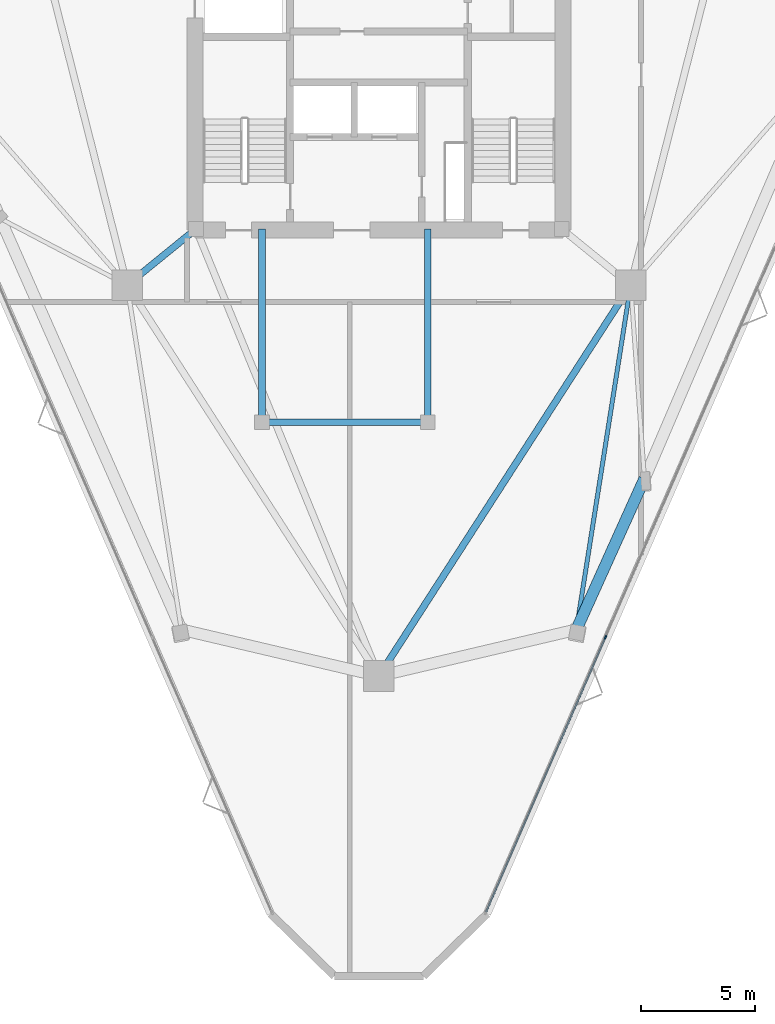
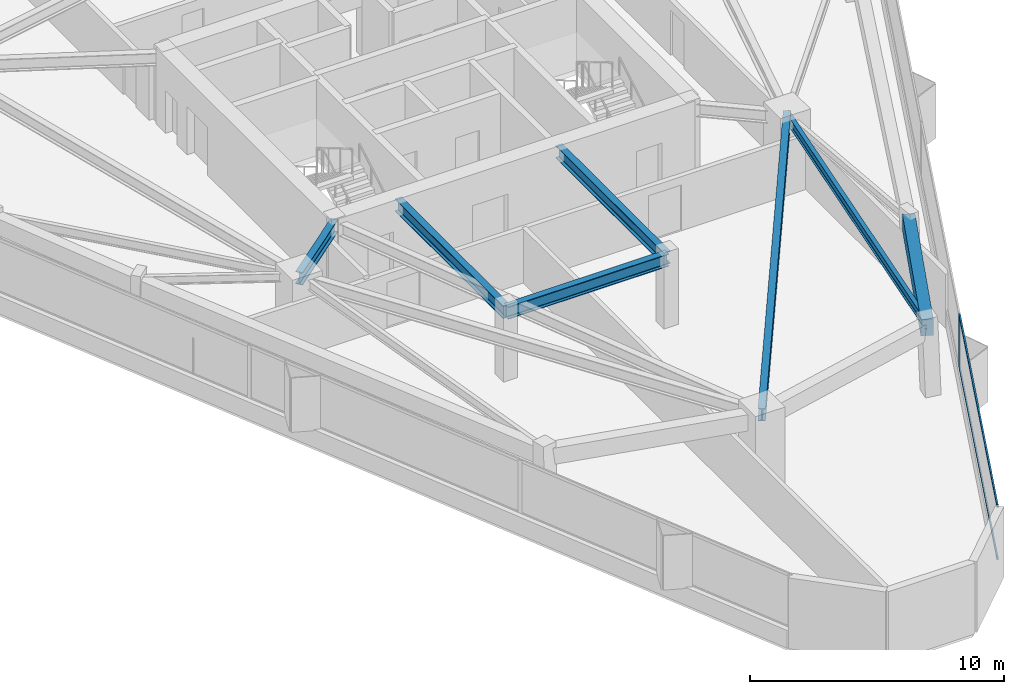
# One storey, part 3 of 12: 7 beams, 3 members, 1 element without a shape of its own.
"""IFC4 building model written with IfcOpenShell, lengths in metres."""

from ifc_helpers import new_model, si_unit, direction, frame, origin, origin_2d, place, context, subcontext, project, spatial, rectangle, i_section, extrude, material, layer, layer_set, material_profile, profile_set, type_object, element, aggregate, save


model = new_model("IFC4")

# Units and contexts
model_context = context("Model", 3, precision=1e-05, world=origin(), true_north=direction((0.0, 1.0)))
body_context = subcontext(model_context, "Body", "Model", "MODEL_VIEW")
ifc_project = project(units=[si_unit("LENGTHUNIT", "METRE"), si_unit("AREAUNIT", "SQUARE_METRE"), si_unit("VOLUMEUNIT", "CUBIC_METRE"), si_unit("PLANEANGLEUNIT", "RADIAN"), si_unit("MASSUNIT", "GRAM", prefix="KILO")], contexts=[model_context])

# Site, building, storey
site_placement = place(None, origin())
site = spatial("IfcSite", under=ifc_project, at=site_placement, CompositionType="ELEMENT")
building_placement = place(site_placement, origin())
building = spatial("IfcBuilding", under=site, at=building_placement, Name="Talyreon Biosciences Tower", CompositionType="ELEMENT")
storey_placement = place(building_placement, frame((0.0, 0.0, 197.64990234375)))
storey = spatial("IfcBuildingStorey", under=building, at=storey_placement, Name="L52", CompositionType="ELEMENT", Elevation=197.64990234375)

# Curtain wall, members
ifc_material_1 = material(Name="Thermally broken aluminium and low-E glazing", Category="aluminium")
ifc_layer = layer(ifc_material_1, 0.179931640625)
ifc_layer_set = layer_set([ifc_layer], Name="Thermally broken aluminium and low-E glazing")
curtain_wall_type = type_object("IfcCurtainWallType", Name="CurtainWall_Zone4Optical", PredefinedType="NOTDEFINED", material=ifc_layer_set)
curtain_wall_placement = place(storey_placement, origin())
curtain_wall = element("IfcCurtainWall", 1, at=curtain_wall_placement, inside=storey, type_object=curtain_wall_type, Name="L52 Unitised Curtain Wall FCW-L52-08", PredefinedType="NOTDEFINED")
ifc_material_2 = material(Name="Anodised thermally broken aluminium", Category="aluminium")
ifc_material_profile_1 = material_profile(ifc_material_2, rectangle(XDim=0.06494140625, YDim=0.179931640625, at=origin_2d()), Name="ALUM MULLION 65x180")
ifc_profile_set_1 = profile_set([ifc_material_profile_1], Name="Anodised thermally broken aluminium")
member_type_1 = type_object("IfcMemberType", Name="CWMullion_65x180", PredefinedType="MULLION", material=ifc_profile_set_1)
member_1_placement = place(storey_placement, frame((75.977783203125, 43.374267578125, 0.81005859375), z_axis=(0.0, 0.0, 1.0), x_axis=(0.917010897502, -0.398862148946, 0.0)))
member_1 = element("IfcMember", 2, at=member_1_placement, type_object=member_type_1, Name="CW5 mullion 4", PredefinedType="MULLION", context=body_context, shape_type="SweptSolid", body=[
    extrude(rectangle(XDim=0.06494140625, YDim=0.179931640625, at=origin_2d()), origin(), (0.0, 0.0, 1.0), 2.590087890625),
])
ifc_material_profile_2 = material_profile(ifc_material_2, rectangle(XDim=0.06494140625, YDim=0.139892578125, at=origin_2d()), Name="ALUM TRANSOM 65x140")
ifc_profile_set_2 = profile_set([ifc_material_profile_2], Name="Anodised thermally broken aluminium")
member_type_2 = type_object("IfcMemberType", Name="CWTransom_65x140", PredefinedType="USERDEFINED", material=ifc_profile_set_2)
member_2_placement = place(storey_placement, frame((75.96484375, 43.344482421875, 0.842529296875), z_axis=(-0.398866666561, -0.917008932512, 0.0), x_axis=(0.917008932512, -0.398866666561, 0.0)))
member_2 = element("IfcMember", 3, at=member_2_placement, type_object=member_type_2, Name="CW5 transom 4.1", ObjectType="TRANSOM", PredefinedType="USERDEFINED", context=body_context, shape_type="SweptSolid", body=[
    extrude(rectangle(XDim=0.06494140625, YDim=0.139892578125, at=origin_2d()), origin(), (0.0, 0.0, 1.0), 13.14697265625),
])
member_3_placement = place(storey_placement, frame((75.96484375, 43.344482421875, 3.36767578125), z_axis=(-0.398866666561, -0.917008932512, 0.0), x_axis=(0.917008932512, -0.398866666561, 0.0)))
member_3 = element("IfcMember", 4, at=member_3_placement, type_object=member_type_2, Name="CW5 transom 4.2", ObjectType="TRANSOM", PredefinedType="USERDEFINED", context=body_context, shape_type="SweptSolid", body=[
    extrude(rectangle(XDim=0.06494140625, YDim=0.139892578125, at=origin_2d()), origin(), (0.0, 0.0, 1.0), 13.14697265625),
])
aggregate(curtain_wall, [member_1, member_2, member_3])

# Beams
ifc_material_3 = material(Name="Precast concrete C45/55", Category="concrete")
ifc_material_profile_3 = material_profile(ifc_material_3, rectangle(XDim=0.5, YDim=0.780029296875, at=origin_2d()), Name="RCB 500x780")
ifc_profile_set_3 = profile_set([ifc_material_profile_3], Name="Precast concrete C45/55")
beam_type_1 = type_object("IfcBeamType", Name="ExpressedSpandrel_500x780", PredefinedType="SPANDREL", material=ifc_profile_set_3)
beam_1_placement = place(storey_placement, frame((74.695068359375, 43.712890625, 3.010009765625), z_axis=(0.411257301483, 0.911519298741, 0.0), x_axis=(-0.911519298741, 0.411257301483, 0.0)))
element("IfcBeam", 5, at=beam_1_placement, inside=storey, type_object=beam_type_1, Name="L52 Expressed Horizontal Concrete Spandrel 02", PredefinedType="SPANDREL", context=body_context, shape_type="SweptSolid", body=[
    extrude(rectangle(XDim=0.5, YDim=0.780029296875, at=origin_2d()), origin(), (0.0, 0.0, 1.0), 7.2880859375),
])
ifc_material_4 = material(Name="Steel SM355", Category="steel")
ifc_material_profile_4 = material_profile(ifc_material_4, i_section(OverallWidth=0.300048828125, OverallDepth=0.60009765625, WebThickness=0.015380859375, FlangeThickness=0.030029296875, FilletRadius=0.027099609375, at=origin_2d()), Name="HE600B")
ifc_profile_set_4 = profile_set([ifc_material_profile_4], Name="Steel SM355")
beam_type_2 = type_object("IfcBeamType", Name="SteelBeam_HE600B", PredefinedType="BEAM", material=ifc_profile_set_4)
beam_2_placement = place(storey_placement, frame((66.0, 41.6669921875, 3.10009765625), z_axis=(0.541463723609, 0.840724114092, 0.0), x_axis=(-0.840724114092, 0.541463723609, 0.0)))
element("IfcBeam", 6, at=beam_2_placement, inside=storey, type_object=beam_type_2, Name="L52 Mega-Ring Girder 1", PredefinedType="BEAM", context=body_context, shape_type="SweptSolid", body=[
    extrude(i_section(OverallWidth=0.300048828125, OverallDepth=0.60009765625, WebThickness=0.015380859375, FlangeThickness=0.030029296875, FilletRadius=0.027099609375, at=origin_2d()), origin(), (0.0, 0.0, 1.0), 20.474365234375),
])
beam_3_placement = place(storey_placement, frame((57.949951171875, 61.35009765625, 3.10009765625), z_axis=(-0.775755154013, -0.631034025249, 0.0), x_axis=(0.631034025249, -0.775755154013, 0.0)))
element("IfcBeam", 7, at=beam_3_placement, inside=storey, type_object=beam_type_2, Name="L52 Radial Primary Girder 6", PredefinedType="BEAM", context=body_context, shape_type="SweptSolid", body=[
    extrude(i_section(OverallWidth=0.300048828125, OverallDepth=0.60009765625, WebThickness=0.015380859375, FlangeThickness=0.030029296875, FilletRadius=0.027099609375, at=origin_2d()), origin(), (0.0, 0.0, 1.0), 3.913818359375),
])
beam_4_placement = place(storey_placement, frame((60.85009765625, 52.840087890625, 3.10009765625), z_axis=(1.0, 0.0, 0.0), x_axis=(0.0, 1.0, 0.0)))
element("IfcBeam", 8, at=beam_4_placement, inside=storey, type_object=beam_type_2, Name="L52 Crown Shaft Spine Girder S", PredefinedType="BEAM", context=body_context, shape_type="SweptSolid", body=[
    extrude(i_section(OverallWidth=0.300048828125, OverallDepth=0.60009765625, WebThickness=0.015380859375, FlangeThickness=0.030029296875, FilletRadius=0.027099609375, at=origin_2d()), origin(), (0.0, 0.0, 1.0), 7.2998046875),
])
for number, where, z_axis, x_axis, name in (
    (9, (60.85009765625, 52.840087890625, 3.10009765625), (0.0, 1.0, 0.0), (-1.0, 0.0, 0.0), "L52 Crown Shaft Tie Girder W"),
    (10, (68.14990234375, 52.840087890625, 3.10009765625), (0.0, 1.0, 0.0), (-1.0, 0.0, 0.0), "L52 Crown Shaft Tie Girder E"),
):
    element("IfcBeam", number, at=place(storey_placement, frame(where, z_axis=z_axis, x_axis=x_axis)), inside=storey, type_object=beam_type_2, Name=name, PredefinedType="BEAM", context=body_context, shape_type="SweptSolid", body=[
        extrude(i_section(OverallWidth=0.300048828125, OverallDepth=0.60009765625, WebThickness=0.015380859375, FlangeThickness=0.030029296875, FilletRadius=0.027099609375, at=origin_2d()), origin(), (0.0, 0.0, 1.0), 8.510009765625),
    ])
ifc_material_profile_5 = material_profile(ifc_material_4, i_section(OverallWidth=0.18994140625, OverallDepth=0.449951171875, WebThickness=0.009521484375, FlangeThickness=0.0146484375, FilletRadius=0.02099609375, at=origin_2d()), Name="IPE450")
ifc_profile_set_5 = profile_set([ifc_material_profile_5], Name="Steel SM355")
beam_type_3 = type_object("IfcBeamType", Name="SteelJoist_IPE450", PredefinedType="JOIST", material=ifc_profile_set_5)
beam_5_placement = place(storey_placement, frame((77.086181640625, 58.88037109375, 3.175048828125), z_axis=(-0.155724155556, -0.987800580773, 0.0), x_axis=(0.987800580773, -0.155724155556, 0.0)))
element("IfcBeam", 11, at=beam_5_placement, inside=storey, type_object=beam_type_3, Name="L52 Radial Composite Floor Joist PC-SE1", PredefinedType="JOIST", context=body_context, shape_type="SweptSolid", body=[
    extrude(i_section(OverallWidth=0.18994140625, OverallDepth=0.449951171875, WebThickness=0.009521484375, FlangeThickness=0.0146484375, FilletRadius=0.02099609375, at=origin_2d()), origin(), (0.0, 0.0, 1.0), 15.354736328125),
])

save(model, "model.ifc")
